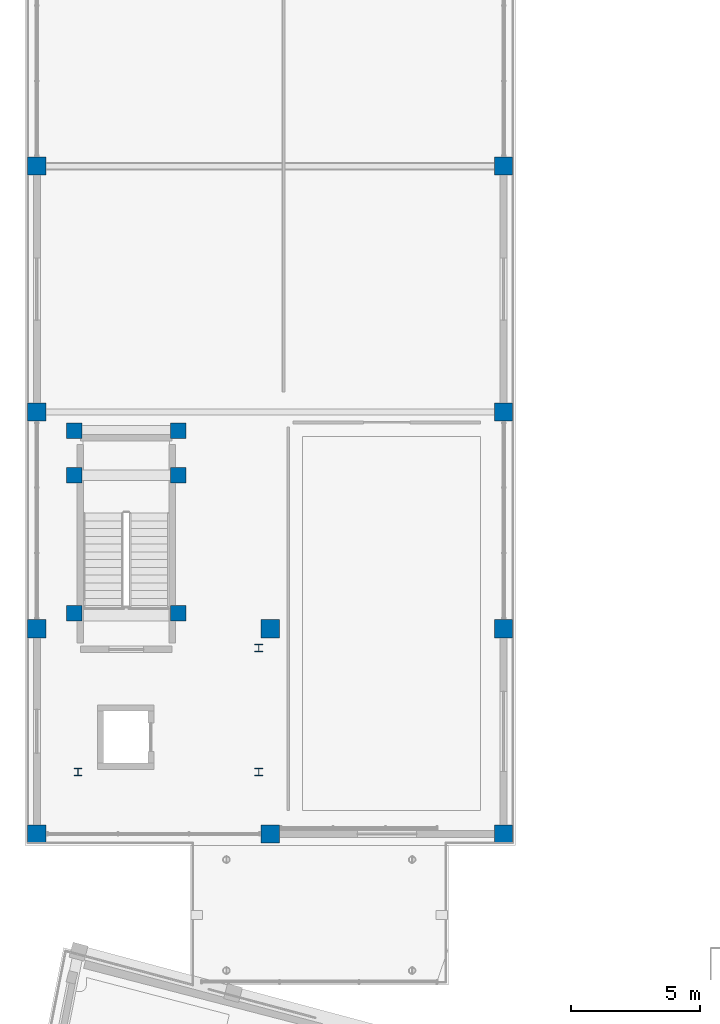
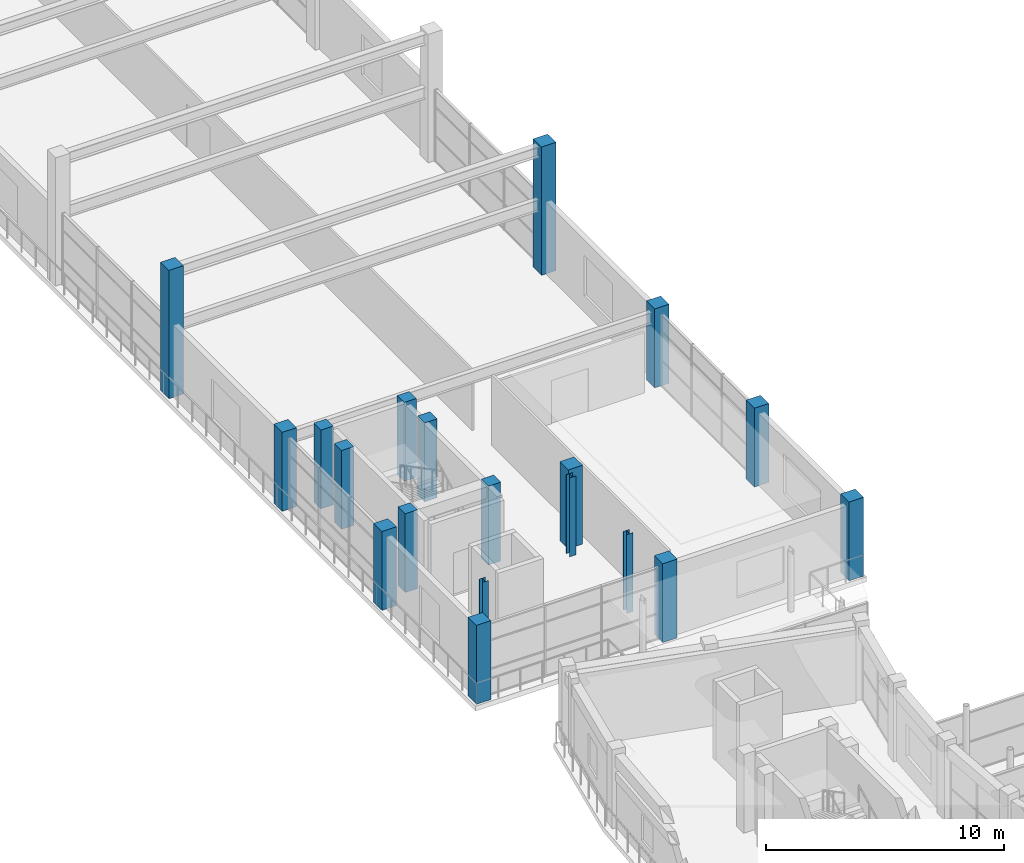
# One storey, part 9 of 72: 19 columns.
"""IFC4 building model written with IfcOpenShell, lengths in metres."""

from ifc_helpers import new_model, si_unit, direction, frame, origin, origin_2d, place, context, subcontext, project, spatial, rectangle, i_section, extrude, material, material_profile, profile_set, type_object, element, save


model = new_model("IFC4")

# Units and contexts
model_context = context("Model", 3, precision=1e-05, world=origin(), true_north=direction((0.0, 1.0)))
body_context = subcontext(model_context, "Body", "Model", "MODEL_VIEW")
ifc_project = project(units=[si_unit("LENGTHUNIT", "METRE"), si_unit("AREAUNIT", "SQUARE_METRE"), si_unit("VOLUMEUNIT", "CUBIC_METRE"), si_unit("PLANEANGLEUNIT", "RADIAN"), si_unit("MASSUNIT", "GRAM", prefix="KILO")], contexts=[model_context])

# Site, building, storey
site_placement = place(None, origin())
site = spatial("IfcSite", under=ifc_project, at=site_placement, CompositionType="ELEMENT")
building_placement = place(site_placement, origin())
building = spatial("IfcBuilding", under=site, at=building_placement, Name="Saryqyr Civic Hall", CompositionType="ELEMENT")
storey_placement = place(building_placement, frame((0.0, 0.0, 17.25)))
storey = spatial("IfcBuildingStorey", under=building, at=storey_placement, Name="L04", CompositionType="ELEMENT", Elevation=17.25)

# Columns
ifc_material_1 = material(Name="Steel S355", Category="steel")
ifc_material_profile_1 = material_profile(ifc_material_1, i_section(OverallWidth=0.300048828125, OverallDepth=0.2900390625, WebThickness=0.008544921875, FlangeThickness=0.013916015625, at=origin_2d()), Name="HEA 300")
ifc_profile_set_1 = profile_set([ifc_material_profile_1], Name="Steel S355")
column_type_1 = type_object("IfcColumnType", Name="STR-COL-HEA300-S355", PredefinedType="COLUMN", material=ifc_profile_set_1)
for number, where, z_axis, x_axis, name in (
    (1, (9.64990234375, 103.64990234375, 0.0), (0.0, 0.0, 1.0), (1.0, 0.0, 0.0), "Column RGV3-COL-1-L04"),
    (2, (16.64990234375, 103.64990234375, 0.0), (0.0, 0.0, 1.0), (1.0, 0.0, 0.0), "Column RGV3-COL-2-L04"),
    (3, (16.64990234375, 108.449951171875, 0.0), (0.0, 0.0, 1.0), (1.0, 0.0, 0.0), "Column RGV3-COL-3-L04"),
):
    element("IfcColumn", number, at=place(storey_placement, frame(where, z_axis=z_axis, x_axis=x_axis)), inside=storey, type_object=column_type_1, Name=name, PredefinedType="COLUMN", context=body_context, shape_type="SweptSolid", body=[
        extrude(i_section(OverallWidth=0.300048828125, OverallDepth=0.2900390625, WebThickness=0.008544921875, FlangeThickness=0.013916015625, at=origin_2d()), origin(), (0.0, 0.0, 1.0), 4.050048828125),
    ])
ifc_material_2 = material(Name="Concrete C40/50", Category="concrete")
ifc_material_profile_2 = material_profile(ifc_material_2, rectangle(XDim=0.60009765625, YDim=0.60009765625, at=origin_2d()), Name="RC 600x600")
ifc_profile_set_2 = profile_set([ifc_material_profile_2], Name="Concrete C40/50")
column_type_2 = type_object("IfcColumnType", Name="STR-COL-RC600-C40", PredefinedType="COLUMN", material=ifc_profile_set_2)
for number, where, z_axis, x_axis, name in (
    (4, (13.5400390625, 109.794921875, 0.0), (0.0, 0.0, 1.0), (1.0, 0.0, 0.0), "Column ST-3-SCOL-TRMA-L04"),
    (5, (9.5, 109.794921875, 0.0), (0.0, 0.0, 1.0), (1.0, 0.0, 0.0), "Column ST-3-SCOL-TRMB-L04"),
    (6, (13.5400390625, 115.14990234375, 0.0), (0.0, 0.0, 1.0), (1.0, 0.0, 0.0), "Column ST-3-SCOL-LND1A-L04"),
    (7, (9.5, 115.14990234375, 0.0), (0.0, 0.0, 1.0), (1.0, 0.0, 0.0), "Column ST-3-SCOL-LND1B-L04"),
    (8, (13.5400390625, 116.8798828125, 0.0), (0.0, 0.0, 1.0), (1.0, 0.0, 0.0), "Column ST-3-SCOL-LND2A-L04"),
    (9, (9.5, 116.8798828125, 0.0), (0.0, 0.0, 1.0), (1.0, 0.0, 0.0), "Column ST-3-SCOL-LND2B-L04"),
):
    element("IfcColumn", number, at=place(storey_placement, frame(where, z_axis=z_axis, x_axis=x_axis)), inside=storey, type_object=column_type_2, Name=name, PredefinedType="COLUMN", context=body_context, shape_type="SweptSolid", body=[
        extrude(rectangle(XDim=0.60009765625, YDim=0.60009765625, at=origin_2d()), origin(), (0.0, 0.0, 1.0), 4.050048828125),
    ])
ifc_material_profile_3 = material_profile(ifc_material_2, rectangle(XDim=0.699951171875, YDim=0.699951171875, at=origin_2d()), Name="RC 700x700")
ifc_profile_set_3 = profile_set([ifc_material_profile_3], Name="Concrete C40/50")
column_type_3 = type_object("IfcColumnType", Name="STR-COL-RC700-C40", PredefinedType="COLUMN", material=ifc_profile_set_3)
for number, where, z_axis, x_axis, name in (
    (10, (8.050048828125, 101.25, 0.0), (0.0, 0.0, 1.0), (1.0, 0.0, 0.0), "Column V3-COL-11-L04"),
    (11, (8.050048828125, 109.199951171875, 0.0), (0.0, 0.0, 1.0), (1.0, 0.0, 0.0), "Column V3-COL-12-L04"),
    (12, (8.050048828125, 117.60009765625, 0.0), (0.0, 0.0, 1.0), (1.0, 0.0, 0.0), "Column V3-COL-13-L04"),
):
    element("IfcColumn", number, at=place(storey_placement, frame(where, z_axis=z_axis, x_axis=x_axis)), inside=storey, type_object=column_type_3, Name=name, PredefinedType="COLUMN", context=body_context, shape_type="SweptSolid", body=[
        extrude(rectangle(XDim=0.699951171875, YDim=0.699951171875, at=origin_2d()), origin(), (0.0, 0.0, 1.0), 4.050048828125),
    ])
column_1_placement = place(storey_placement, frame((8.050048828125, 127.1298828125, 0.0), z_axis=(0.0, 0.0, 1.0), x_axis=(1.0, 0.0, 0.0)))
element("IfcColumn", 13, at=column_1_placement, inside=storey, type_object=column_type_3, Name="Column V3-COL-14-L04", PredefinedType="COLUMN", context=body_context, shape_type="SweptSolid", body=[
    extrude(rectangle(XDim=0.699951171875, YDim=0.699951171875, at=origin_2d()), origin(), (0.0, 0.0, 1.0), 6.590087890625),
])
for number, where, z_axis, x_axis, name in (
    (14, (17.10009765625, 101.25, 0.0), (0.0, 0.0, 1.0), (1.0, 0.0, 0.0), "Column V3-COL-21-L04"),
    (15, (17.10009765625, 109.199951171875, 0.0), (0.0, 0.0, 1.0), (1.0, 0.0, 0.0), "Column V3-COL-22-L04"),
    (16, (26.14990234375, 101.25, 0.0), (0.0, 0.0, 1.0), (1.0, 0.0, 0.0), "Column V3-COL-31-L04"),
    (17, (26.14990234375, 109.199951171875, 0.0), (0.0, 0.0, 1.0), (1.0, 0.0, 0.0), "Column V3-COL-32-L04"),
    (18, (26.14990234375, 117.60009765625, 0.0), (0.0, 0.0, 1.0), (1.0, 0.0, 0.0), "Column V3-COL-33-L04"),
):
    element("IfcColumn", number, at=place(storey_placement, frame(where, z_axis=z_axis, x_axis=x_axis)), inside=storey, type_object=column_type_3, Name=name, PredefinedType="COLUMN", context=body_context, shape_type="SweptSolid", body=[
        extrude(rectangle(XDim=0.699951171875, YDim=0.699951171875, at=origin_2d()), origin(), (0.0, 0.0, 1.0), 4.050048828125),
    ])
column_2_placement = place(storey_placement, frame((26.14990234375, 127.1298828125, 0.0), z_axis=(0.0, 0.0, 1.0), x_axis=(1.0, 0.0, 0.0)))
element("IfcColumn", 19, at=column_2_placement, inside=storey, type_object=column_type_3, Name="Column V3-COL-34-L04", PredefinedType="COLUMN", context=body_context, shape_type="SweptSolid", body=[
    extrude(rectangle(XDim=0.699951171875, YDim=0.699951171875, at=origin_2d()), origin(), (0.0, 0.0, 1.0), 6.590087890625),
])

save(model, "model.ifc")
